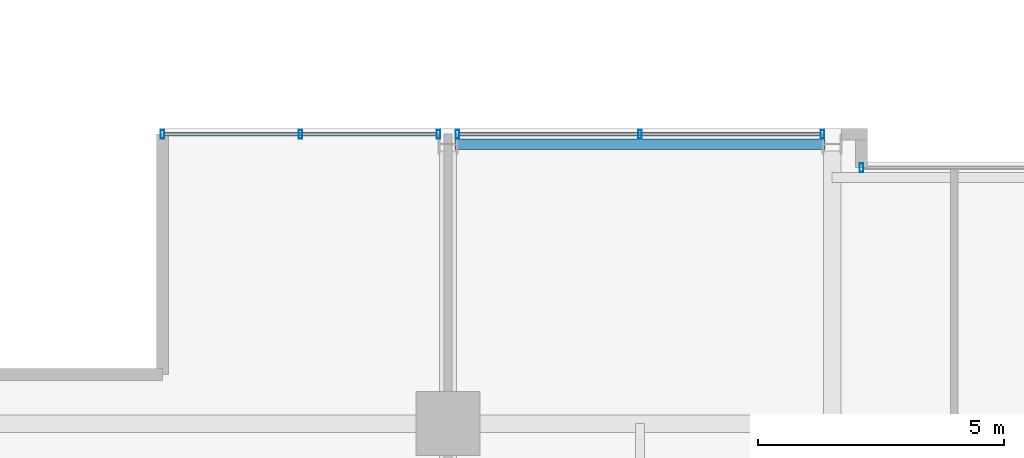
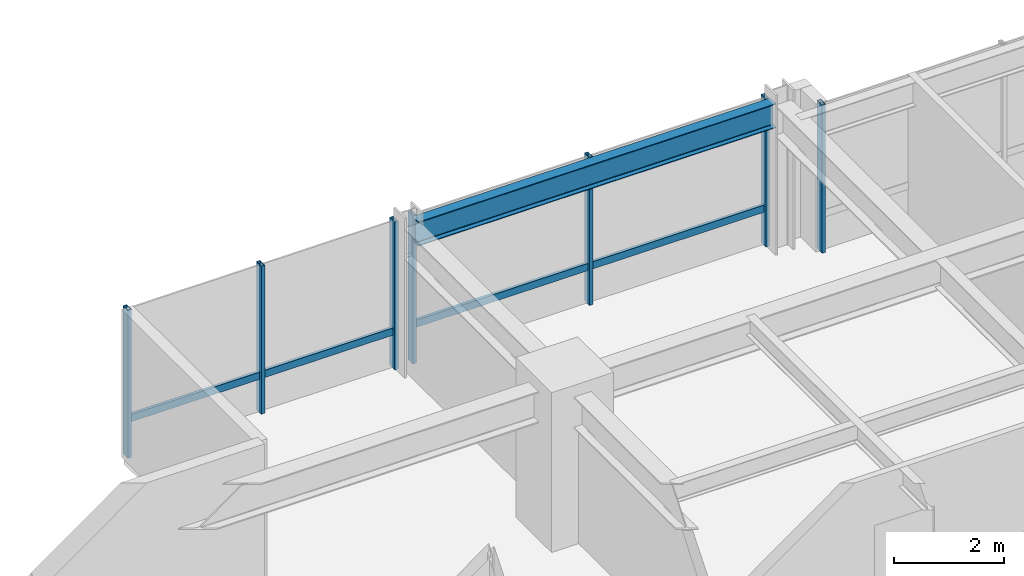
# One storey, part 21 of 33: 9 members, 1 beam, 3 elements without a shape of their own.
"""IFC4 building model written with IfcOpenShell, lengths in metres."""

from ifc_helpers import new_model, si_unit, direction, frame, origin, origin_2d, place, context, subcontext, project, spatial, hollow_rectangle, i_section, extrude, material, layer, layer_set, material_profile, profile_set, type_object, element, aggregate, save


model = new_model("IFC4")

# Units and contexts
model_context = context("Model", 3, precision=1e-05, world=origin(), true_north=direction((0.0, 1.0)))
body_context = subcontext(model_context, "Body", "Model", "MODEL_VIEW")
ifc_project = project(units=[si_unit("LENGTHUNIT", "METRE"), si_unit("AREAUNIT", "SQUARE_METRE"), si_unit("VOLUMEUNIT", "CUBIC_METRE"), si_unit("PLANEANGLEUNIT", "RADIAN"), si_unit("MASSUNIT", "GRAM", prefix="KILO")], contexts=[model_context])

# Site, building, storey
site_placement = place(None, origin())
site = spatial("IfcSite", under=ifc_project, at=site_placement, CompositionType="ELEMENT")
building_placement = place(site_placement, origin())
building = spatial("IfcBuilding", under=site, at=building_placement, Name="Drelvath Grand Hotel", CompositionType="ELEMENT")
storey_placement = place(building_placement, frame((0.0, 0.0, 178.800048828125)))
storey = spatial("IfcBuildingStorey", under=building, at=storey_placement, Name="L46", CompositionType="ELEMENT", Elevation=178.800048828125)

# Curtain wall, member
ifc_material_1 = material(Name="Brushed Pale-Silver Anodised Aluminium Frame", Category="aluminium")
ifc_layer = layer(ifc_material_1, 0.199951171875)
ifc_layer_set = layer_set([ifc_layer], Name="Brushed Pale-Silver Anodised Aluminium Frame")
curtain_wall_type = type_object("IfcCurtainWallType", Name="Stick Curtain Wall CW-04 Brushed Silver Upper-Mid", PredefinedType="NOTDEFINED", material=ifc_layer_set)
curtain_wall_1_placement = place(storey_placement, origin())
curtain_wall_1 = element("IfcCurtainWall", 1, at=curtain_wall_1_placement, inside=storey, type_object=curtain_wall_type, Name="L46 CW-04 Curtain Wall CW04-L46-NW1", PredefinedType="NOTDEFINED")
ifc_material_profile_1 = material_profile(ifc_material_1, hollow_rectangle(XDim=0.06494140625, YDim=0.159912109375, WallThickness=0.00390625, at=origin_2d()), Name="HSS160X65X4")
ifc_profile_set_1 = profile_set([ifc_material_profile_1], Name="Brushed Pale-Silver Anodised Aluminium Frame")
member_type_1 = type_object("IfcMemberType", Name="Curtain Wall Horizontal Transom CW-04 HSS160X65X4", PredefinedType="USERDEFINED", material=ifc_profile_set_1)
member_1_placement = place(storey_placement, frame((-21.9599609375, 49.080078125, 0.822509765625), z_axis=(1.0, 0.0, 0.0), x_axis=(0.0, 1.0, 0.0)))
member_1 = element("IfcMember", 2, at=member_1_placement, type_object=member_type_1, Name="CW04-L46-NW1 Sill Transom", ObjectType="TRANSOM", PredefinedType="USERDEFINED", context=body_context, shape_type="SweptSolid", body=[
    extrude(hollow_rectangle(XDim=0.06494140625, YDim=0.159912109375, WallThickness=0.00390625, at=origin_2d()), origin(), (0.0, 0.0, 1.0), 5.5283203125),
])

curtain_wall_2_placement = place(storey_placement, origin())
curtain_wall_2 = element("IfcCurtainWall", 3, at=curtain_wall_2_placement, inside=storey, type_object=curtain_wall_type, Name="L46 CW-04 Curtain Wall CW04-L46-NW2", PredefinedType="NOTDEFINED")
member_2_placement = place(storey_placement, frame((-15.968505859375, 49.080078125, 0.822509765625), z_axis=(1.0, 0.0, 0.0), x_axis=(0.0, 1.0, 0.0)))
member_2 = element("IfcMember", 4, at=member_2_placement, type_object=member_type_1, Name="CW04-L46-NW2 Sill Transom", ObjectType="TRANSOM", PredefinedType="USERDEFINED", context=body_context, shape_type="SweptSolid", body=[
    extrude(hollow_rectangle(XDim=0.06494140625, YDim=0.159912109375, WallThickness=0.00390625, at=origin_2d()), origin(), (0.0, 0.0, 1.0), 7.3369140625),
])

# Member
ifc_material_profile_2 = material_profile(ifc_material_1, hollow_rectangle(XDim=0.074951171875, YDim=0.179931640625, WallThickness=0.0048828125, at=origin_2d()), Name="HSS180X75X5")
ifc_profile_set_2 = profile_set([ifc_material_profile_2], Name="Brushed Pale-Silver Anodised Aluminium Frame")
member_type_2 = type_object("IfcMemberType", Name="Curtain Wall Vertical Mullion CW-04 HSS180X75X5", PredefinedType="MULLION", material=ifc_profile_set_2)
member_3_placement = place(storey_placement, frame((-22.0, 49.080078125, 0.0), z_axis=(0.0, 0.0, 1.0), x_axis=(1.0, 0.0, 0.0)))
member_3 = element("IfcMember", 5, at=member_3_placement, type_object=member_type_2, Name="CW04-L46-NW1 Mullion 1", PredefinedType="MULLION", context=body_context, shape_type="SweptSolid", body=[
    extrude(hollow_rectangle(XDim=0.074951171875, YDim=0.179931640625, WallThickness=0.0048828125, at=origin_2d()), origin(), (0.0, 0.0, 1.0), 3.2900390625),
])

member_4_placement = place(storey_placement, frame((-19.19580078125, 49.080078125, 0.0), z_axis=(0.0, 0.0, 1.0), x_axis=(1.0, 0.0, 0.0)))
member_4 = element("IfcMember", 6, at=member_4_placement, type_object=member_type_2, Name="CW04-L46-NW1 Mullion 2", PredefinedType="MULLION", context=body_context, shape_type="SweptSolid", body=[
    extrude(hollow_rectangle(XDim=0.074951171875, YDim=0.179931640625, WallThickness=0.0048828125, at=origin_2d()), origin(), (0.0, 0.0, 1.0), 3.2900390625),
])

member_5_placement = place(storey_placement, frame((-16.3916015625, 49.080078125, 0.0), z_axis=(0.0, 0.0, 1.0), x_axis=(1.0, 0.0, 0.0)))
member_5 = element("IfcMember", 7, at=member_5_placement, type_object=member_type_2, Name="CW04-L46-NW1 Mullion 3", PredefinedType="MULLION", context=body_context, shape_type="SweptSolid", body=[
    extrude(hollow_rectangle(XDim=0.074951171875, YDim=0.179931640625, WallThickness=0.0048828125, at=origin_2d()), origin(), (0.0, 0.0, 1.0), 3.2900390625),
])

aggregate(curtain_wall_1, [member_3, member_4, member_5, member_1])

member_6_placement = place(storey_placement, frame((-16.00830078125, 49.080078125, 0.0), z_axis=(0.0, 0.0, 1.0), x_axis=(1.0, 0.0, 0.0)))
member_6 = element("IfcMember", 8, at=member_6_placement, type_object=member_type_2, Name="CW04-L46-NW2 Mullion 1", PredefinedType="MULLION", context=body_context, shape_type="SweptSolid", body=[
    extrude(hollow_rectangle(XDim=0.074951171875, YDim=0.179931640625, WallThickness=0.0048828125, at=origin_2d()), origin(), (0.0, 0.0, 1.0), 3.2900390625),
])

member_7_placement = place(storey_placement, frame((-12.300048828125, 49.080078125, 0.0), z_axis=(0.0, 0.0, 1.0), x_axis=(1.0, 0.0, 0.0)))
member_7 = element("IfcMember", 9, at=member_7_placement, type_object=member_type_2, Name="CW04-L46-NW2 Mullion 2", PredefinedType="MULLION", context=body_context, shape_type="SweptSolid", body=[
    extrude(hollow_rectangle(XDim=0.074951171875, YDim=0.179931640625, WallThickness=0.0048828125, at=origin_2d()), origin(), (0.0, 0.0, 1.0), 3.2900390625),
])

member_8_placement = place(storey_placement, frame((-8.591796875, 49.080078125, 0.0), z_axis=(0.0, 0.0, 1.0), x_axis=(1.0, 0.0, 0.0)))
member_8 = element("IfcMember", 10, at=member_8_placement, type_object=member_type_2, Name="CW04-L46-NW2 Mullion 3", PredefinedType="MULLION", context=body_context, shape_type="SweptSolid", body=[
    extrude(hollow_rectangle(XDim=0.074951171875, YDim=0.179931640625, WallThickness=0.0048828125, at=origin_2d()), origin(), (0.0, 0.0, 1.0), 3.2900390625),
])

aggregate(curtain_wall_2, [member_6, member_7, member_8, member_2])

# Curtain wall, member
curtain_wall_3_placement = place(storey_placement, origin())
curtain_wall_3 = element("IfcCurtainWall", 11, at=curtain_wall_3_placement, inside=storey, type_object=curtain_wall_type, Name="L46 CW-04 Curtain Wall CW04-L46-NM1", PredefinedType="NOTDEFINED")
member_9_placement = place(storey_placement, frame((-7.800048828125, 48.39990234375, 0.0), z_axis=(0.0, 0.0, 1.0), x_axis=(1.0, 0.0, 0.0)))
member_9 = element("IfcMember", 12, at=member_9_placement, type_object=member_type_2, Name="CW04-L46-NM1 Mullion 1", PredefinedType="MULLION", context=body_context, shape_type="SweptSolid", body=[
    extrude(hollow_rectangle(XDim=0.074951171875, YDim=0.179931640625, WallThickness=0.0048828125, at=origin_2d()), origin(), (0.0, 0.0, 1.0), 3.2900390625),
])
aggregate(curtain_wall_3, [member_9])

# Beam
ifc_material_2 = material(Name="Steel ASTM A992 Gr 50", Category="steel")
ifc_material_profile_3 = material_profile(ifc_material_2, i_section(OverallWidth=0.210205078125, OverallDepth=0.53662109375, WebThickness=0.010986328125, FlangeThickness=0.017333984375, FilletRadius=0.01806640625, at=origin_2d()), Name="W21X68")
ifc_profile_set_3 = profile_set([ifc_material_profile_3], Name="Steel ASTM A992 Gr 50")
beam_type = type_object("IfcBeamType", Name="Perimeter Spandrel Beam W21X68", PredefinedType="SPANDREL", material=ifc_profile_set_3)
beam_placement = place(storey_placement, frame((-16.06005859375, 48.8798828125, 3.021728515625), z_axis=(1.0, 0.0, 0.0), x_axis=(0.0, 1.0, 0.0)))
element("IfcBeam", 13, at=beam_placement, inside=storey, type_object=beam_type, Name="L46 Spandrel North W", PredefinedType="SPANDREL", context=body_context, shape_type="SweptSolid", body=[
    extrude(i_section(OverallWidth=0.210205078125, OverallDepth=0.53662109375, WebThickness=0.010986328125, FlangeThickness=0.017333984375, FilletRadius=0.01806640625, at=origin_2d()), origin(), (0.0, 0.0, 1.0), 7.52001953125),
])

save(model, "model.ifc")
